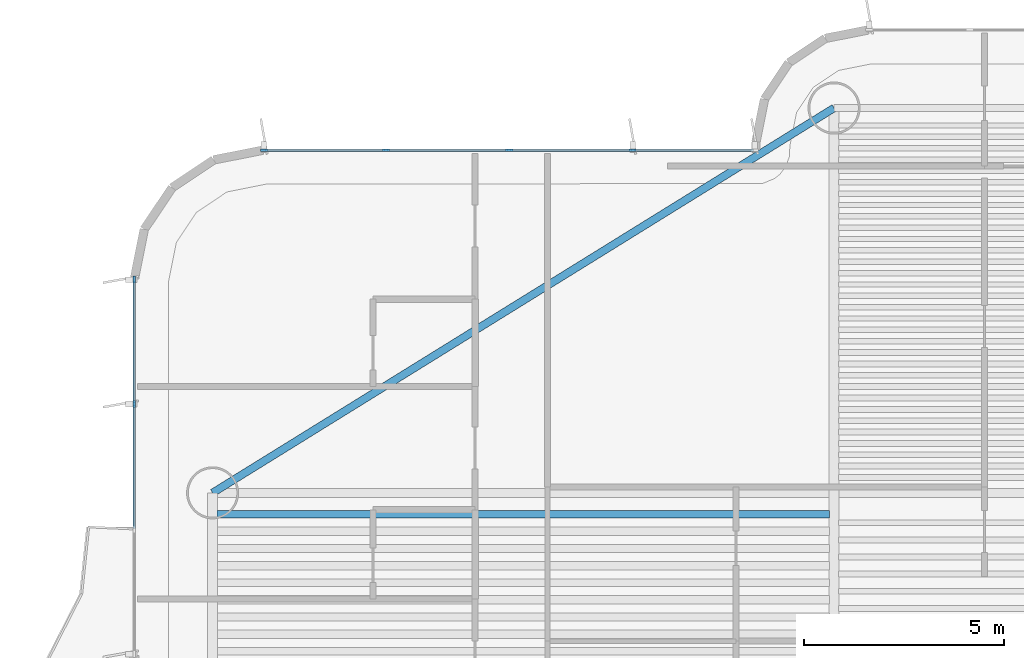
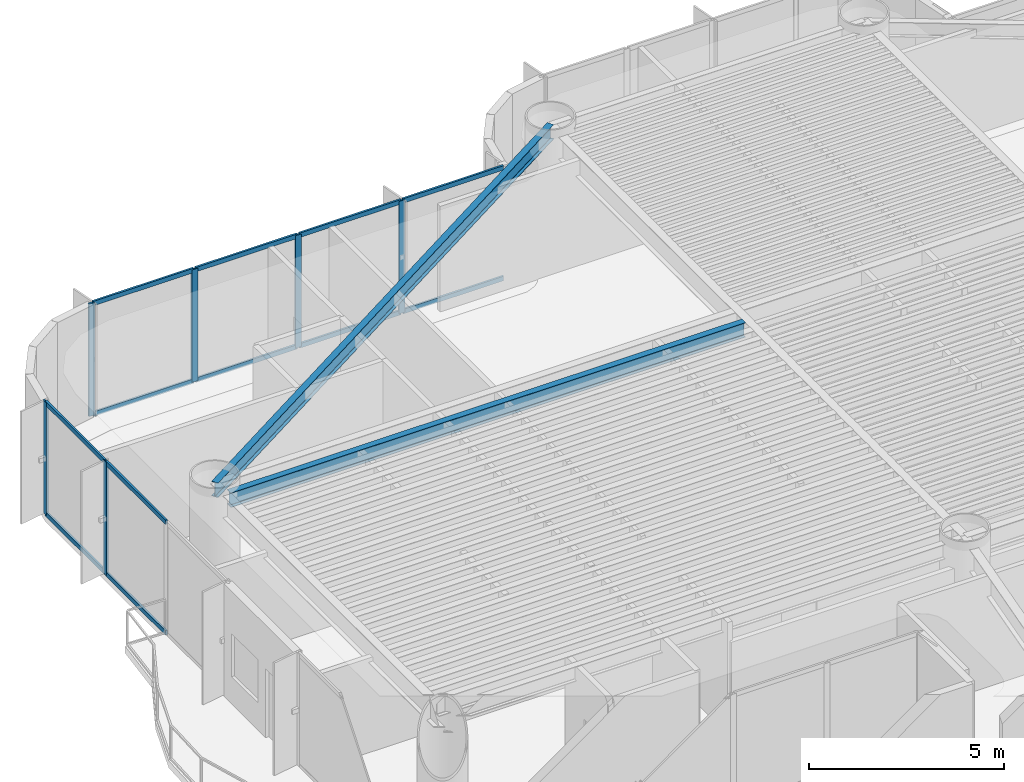
# One storey, part 5 of 17: 18 members, 2 beams, 2 elements without a shape of their own.
"""IFC4 building model written with IfcOpenShell, lengths in metres."""

from ifc_helpers import new_model, si_unit, direction, frame, origin, origin_2d, place, context, subcontext, project, spatial, rectangle, i_section, extrude, source, transform, mapped, material, layer, layer_set, material_profile, profile_set, type_object, element, aggregate, save


model = new_model("IFC4")

# Units and contexts
model_context = context("Model", 3, precision=1e-05, world=origin(), true_north=direction((0.0, 1.0)))
body_context = subcontext(model_context, "Body", "Model", "MODEL_VIEW")
ifc_project = project(units=[si_unit("LENGTHUNIT", "METRE"), si_unit("AREAUNIT", "SQUARE_METRE"), si_unit("VOLUMEUNIT", "CUBIC_METRE"), si_unit("PLANEANGLEUNIT", "RADIAN"), si_unit("MASSUNIT", "GRAM", prefix="KILO")], contexts=[model_context])

# Site, building, storey
site_placement = place(None, origin())
site = spatial("IfcSite", under=ifc_project, at=site_placement, CompositionType="ELEMENT")
building_placement = place(site_placement, origin())
building = spatial("IfcBuilding", under=site, at=building_placement, Name="Brelvock Crest Care Tower", CompositionType="ELEMENT")
storey_placement = place(building_placement, frame((0.0, 0.0, 135.179931640625)))
storey = spatial("IfcBuildingStorey", under=building, at=storey_placement, Name="L34", CompositionType="ELEMENT", Elevation=135.179931640625)

# Beams
ifc_material_1 = material(Name="Steel Grade 350", Category="steel")
ifc_material_profile_1 = material_profile(ifc_material_1, i_section(OverallWidth=0.19091796875, OverallDepth=0.4599609375, WebThickness=0.010009765625, FlangeThickness=0.01611328125, FilletRadius=0.011474609375, at=origin_2d()), Name="460UB82.1")
ifc_profile_set_1 = profile_set([ifc_material_profile_1], Name="Steel Grade 350")
beam_type_1 = type_object("IfcBeamType", Name="BM-G3", PredefinedType="BEAM", material=ifc_profile_set_1)
shared_shape_1 = source(origin(), body_context, "Body", "SweptSolid", [
    extrude(i_section(OverallWidth=0.19091796875, OverallDepth=0.4599609375, WebThickness=0.010009765625, FlangeThickness=0.01611328125, FilletRadius=0.011474609375, at=origin_2d()), origin(), (0.0, 0.0, 1.0), 15.27001953125),
])
beam_1_placement = place(storey_placement, frame((15.965087890625, 38.317626953125, 3.300048828125), z_axis=(1.0, 0.0, 0.0), x_axis=(0.0, 1.0, 0.0)))
element("IfcBeam", 1, at=beam_1_placement, inside=storey, type_object=beam_type_1, Name="BM-JW-L34-26", PredefinedType="BEAM", context=body_context, shape_type="MappedRepresentation", body=[
    mapped(shared_shape_1, transform((0.0, 0.0, 0.0), x_axis=(1.0, 0.0, 0.0), y_axis=(0.0, 1.0, 0.0), z_axis=(0.0, 0.0, 1.0), scale=1.0)),
])
ifc_material_profile_2 = material_profile(ifc_material_1, i_section(OverallWidth=0.19091796875, OverallDepth=0.4599609375, WebThickness=0.010009765625, FlangeThickness=0.01611328125, FilletRadius=0.011474609375, at=origin_2d()), Name="460UB82.1")
ifc_profile_set_2 = profile_set([ifc_material_profile_2], Name="Steel Grade 350")
beam_type_2 = type_object("IfcBeamType", Name="BM-SP2", PredefinedType="SPANDREL", material=ifc_profile_set_2)
shared_shape_2 = source(origin(), body_context, "Body", "SweptSolid", [
    extrude(i_section(OverallWidth=0.19091796875, OverallDepth=0.4599609375, WebThickness=0.010009765625, FlangeThickness=0.01611328125, FilletRadius=0.011474609375, at=origin_2d()), origin(), (0.0, 0.0, 1.0), 18.23193359375),
])
beam_2_placement = place(storey_placement, frame((15.85009765625, 38.85009765625, 3.300048828125), z_axis=(0.85015183248, 0.526537616635, 0.0), x_axis=(-0.526537616635, 0.85015183248, 0.0)))
element("IfcBeam", 2, at=beam_2_placement, inside=storey, type_object=beam_type_2, Name="BM-TWR-L34-06", PredefinedType="SPANDREL", context=body_context, shape_type="MappedRepresentation", body=[
    mapped(shared_shape_2, transform((0.0, 0.0, 0.0), x_axis=(1.0, 0.0, 0.0), y_axis=(0.0, 1.0, 0.0), z_axis=(0.0, 0.0, 1.0), scale=1.0)),
])

# Curtain wall, members
ifc_material_2 = material(Name="Dark Glass Double Glazed Low-E", Category="glass")
ifc_layer = layer(ifc_material_2, 0.2099609375, Name="CWS-3")
ifc_layer_set = layer_set([ifc_layer], Name="Dark Glass Double Glazed Low-E")
curtain_wall_type = type_object("IfcCurtainWallType", Name="CWS-3", PredefinedType="NOTDEFINED", material=ifc_layer_set)
curtain_wall_1_placement = place(storey_placement, origin())
curtain_wall_1 = element("IfcCurtainWall", 3, at=curtain_wall_1_placement, inside=storey, type_object=curtain_wall_type, Name="L34 Curtain Wall E17B", PredefinedType="NOTDEFINED")
ifc_material_3 = material(Name="Aluminium 6063-T6", Category="aluminium")
ifc_material_profile_3 = material_profile(ifc_material_3, rectangle(XDim=0.06005859375, YDim=0.179931640625, at=origin_2d()), Name="ALU60x180")
ifc_profile_set_3 = profile_set([ifc_material_profile_3], Name="Aluminium 6063-T6")
member_type_1 = type_object("IfcMemberType", Name="CWM-2", PredefinedType="MULLION", material=ifc_profile_set_3)
shared_shape_3 = source(origin(), body_context, "Body", "SweptSolid", [
    extrude(rectangle(XDim=0.06005859375, YDim=0.179931640625, at=origin_2d()), origin(), (0.0, 0.0, 1.0), 3.530029296875),
])
member_1_placement = place(storey_placement, frame((13.89990234375, 41.066650390625, 0.0), z_axis=(0.0, 0.0, 1.0), x_axis=(-1.0, 0.0, 0.0)))
member_1 = element("IfcMember", 4, at=member_1_placement, type_object=member_type_1, Name="CW-3 mullion 3", PredefinedType="MULLION", context=body_context, shape_type="MappedRepresentation", body=[
    mapped(shared_shape_3, transform((0.0, 0.0, 0.0), x_axis=(1.0, 0.0, 0.0), y_axis=(0.0, 1.0, 0.0), z_axis=(0.0, 0.0, 1.0), scale=1.0)),
])
member_2_placement = place(storey_placement, frame((13.89990234375, 44.169921875, 0.0), z_axis=(0.0, 0.0, 1.0), x_axis=(-1.0, 0.0, 0.0)))
member_2 = element("IfcMember", 5, at=member_2_placement, type_object=member_type_1, Name="CW-3 mullion 4", PredefinedType="MULLION", context=body_context, shape_type="MappedRepresentation", body=[
    mapped(shared_shape_3, transform((0.0, 0.0, 0.0), x_axis=(1.0, 0.0, 0.0), y_axis=(0.0, 1.0, 0.0), z_axis=(0.0, 0.0, 1.0), scale=1.0)),
])

curtain_wall_2_placement = place(storey_placement, origin())
curtain_wall_2 = element("IfcCurtainWall", 6, at=curtain_wall_2_placement, inside=storey, type_object=curtain_wall_type, Name="L34 Curtain Wall E22", PredefinedType="NOTDEFINED")
member_3_placement = place(storey_placement, frame((17.1298828125, 47.39990234375, 0.0), z_axis=(0.0, 0.0, 1.0), x_axis=(0.0, 1.0, 0.0)))
member_3 = element("IfcMember", 7, at=member_3_placement, type_object=member_type_1, Name="CW-3 mullion 1", PredefinedType="MULLION", context=body_context, shape_type="MappedRepresentation", body=[
    mapped(shared_shape_3, transform((0.0, 0.0, 0.0), x_axis=(1.0, 0.0, 0.0), y_axis=(0.0, 1.0, 0.0), z_axis=(0.0, 0.0, 1.0), scale=1.0)),
])
member_4_placement = place(storey_placement, frame((20.175048828125, 47.39990234375, 0.0), z_axis=(0.0, 0.0, 1.0), x_axis=(0.0, 1.0, 0.0)))
member_4 = element("IfcMember", 8, at=member_4_placement, type_object=member_type_1, Name="CW-3 mullion 2", PredefinedType="MULLION", context=body_context, shape_type="MappedRepresentation", body=[
    mapped(shared_shape_3, transform((0.0, 0.0, 0.0), x_axis=(1.0, 0.0, 0.0), y_axis=(0.0, 1.0, 0.0), z_axis=(0.0, 0.0, 1.0), scale=1.0)),
])
member_5_placement = place(storey_placement, frame((23.25, 47.39990234375, 0.0), z_axis=(0.0, 0.0, 1.0), x_axis=(0.0, 1.0, 0.0)))
member_5 = element("IfcMember", 9, at=member_5_placement, type_object=member_type_1, Name="CW-3 mullion 3", PredefinedType="MULLION", context=body_context, shape_type="MappedRepresentation", body=[
    mapped(shared_shape_3, transform((0.0, 0.0, 0.0), x_axis=(1.0, 0.0, 0.0), y_axis=(0.0, 1.0, 0.0), z_axis=(0.0, 0.0, 1.0), scale=1.0)),
])
member_6_placement = place(storey_placement, frame((26.324951171875, 47.39990234375, 0.0), z_axis=(0.0, 0.0, 1.0), x_axis=(0.0, 1.0, 0.0)))
member_6 = element("IfcMember", 10, at=member_6_placement, type_object=member_type_1, Name="CW-3 mullion 4", PredefinedType="MULLION", context=body_context, shape_type="MappedRepresentation", body=[
    mapped(shared_shape_3, transform((0.0, 0.0, 0.0), x_axis=(1.0, 0.0, 0.0), y_axis=(0.0, 1.0, 0.0), z_axis=(0.0, 0.0, 1.0), scale=1.0)),
])
ifc_material_profile_4 = material_profile(ifc_material_3, rectangle(XDim=0.06005859375, YDim=0.139892578125, at=origin_2d()), Name="ALU60x140")
ifc_profile_set_4 = profile_set([ifc_material_profile_4], Name="Aluminium 6063-T6")
member_type_2 = type_object("IfcMemberType", Name="CWT-2", PredefinedType="USERDEFINED", material=ifc_profile_set_4)
shared_shape_4 = source(origin(), body_context, "Body", "SweptSolid", [
    extrude(rectangle(XDim=0.06005859375, YDim=0.139892578125, at=origin_2d()), origin(), (0.0, 0.0, 1.0), 2.985107421875),
])
member_7_placement = place(storey_placement, frame((17.159912109375, 47.39990234375, 0.030029296875), z_axis=(1.0, 0.0, 0.0), x_axis=(0.0, 1.0, 0.0)))
member_7 = element("IfcMember", 11, at=member_7_placement, type_object=member_type_2, Name="CW-3 transom 1.1", ObjectType="TRANSOM", PredefinedType="USERDEFINED", context=body_context, shape_type="MappedRepresentation", body=[
    mapped(shared_shape_4, transform((0.0, 0.0, 0.0), x_axis=(1.0, 0.0, 0.0), y_axis=(0.0, 1.0, 0.0), z_axis=(0.0, 0.0, 1.0), scale=1.0)),
])
member_8_placement = place(storey_placement, frame((17.159912109375, 47.39990234375, 3.5), z_axis=(1.0, 0.0, 0.0), x_axis=(0.0, 1.0, 0.0)))
member_8 = element("IfcMember", 12, at=member_8_placement, type_object=member_type_2, Name="CW-3 transom 1.2", ObjectType="TRANSOM", PredefinedType="USERDEFINED", context=body_context, shape_type="MappedRepresentation", body=[
    mapped(shared_shape_4, transform((0.0, 0.0, 0.0), x_axis=(1.0, 0.0, 0.0), y_axis=(0.0, 1.0, 0.0), z_axis=(0.0, 0.0, 1.0), scale=1.0)),
])
member_9_placement = place(storey_placement, frame((26.35498046875, 47.39990234375, 0.030029296875), z_axis=(1.0, 0.0, 0.0), x_axis=(0.0, 1.0, 0.0)))
member_9 = element("IfcMember", 13, at=member_9_placement, type_object=member_type_2, Name="CW-3 transom 4.1", ObjectType="TRANSOM", PredefinedType="USERDEFINED", context=body_context, shape_type="MappedRepresentation", body=[
    mapped(shared_shape_4, transform((0.0, 0.0, 0.0), x_axis=(1.0, 0.0, 0.0), y_axis=(0.0, 1.0, 0.0), z_axis=(0.0, 0.0, 1.0), scale=1.0)),
])
member_10_placement = place(storey_placement, frame((26.35498046875, 47.39990234375, 3.5), z_axis=(1.0, 0.0, 0.0), x_axis=(0.0, 1.0, 0.0)))
member_10 = element("IfcMember", 14, at=member_10_placement, type_object=member_type_2, Name="CW-3 transom 4.2", ObjectType="TRANSOM", PredefinedType="USERDEFINED", context=body_context, shape_type="MappedRepresentation", body=[
    mapped(shared_shape_4, transform((0.0, 0.0, 0.0), x_axis=(1.0, 0.0, 0.0), y_axis=(0.0, 1.0, 0.0), z_axis=(0.0, 0.0, 1.0), scale=1.0)),
])
shared_shape_5 = source(origin(), body_context, "Body", "SweptSolid", [
    extrude(rectangle(XDim=0.06005859375, YDim=0.139892578125, at=origin_2d()), origin(), (0.0, 0.0, 1.0), 3.014892578125),
])
member_11_placement = place(storey_placement, frame((20.205078125, 47.39990234375, 0.030029296875), z_axis=(1.0, 0.0, 0.0), x_axis=(0.0, 1.0, 0.0)))
member_11 = element("IfcMember", 15, at=member_11_placement, type_object=member_type_2, Name="CW-3 transom 2.1", ObjectType="TRANSOM", PredefinedType="USERDEFINED", context=body_context, shape_type="MappedRepresentation", body=[
    mapped(shared_shape_5, transform((0.0, 0.0, 0.0), x_axis=(1.0, 0.0, 0.0), y_axis=(0.0, 1.0, 0.0), z_axis=(0.0, 0.0, 1.0), scale=1.0)),
])
member_12_placement = place(storey_placement, frame((20.205078125, 47.39990234375, 3.5), z_axis=(1.0, 0.0, 0.0), x_axis=(0.0, 1.0, 0.0)))
member_12 = element("IfcMember", 16, at=member_12_placement, type_object=member_type_2, Name="CW-3 transom 2.2", ObjectType="TRANSOM", PredefinedType="USERDEFINED", context=body_context, shape_type="MappedRepresentation", body=[
    mapped(shared_shape_5, transform((0.0, 0.0, 0.0), x_axis=(1.0, 0.0, 0.0), y_axis=(0.0, 1.0, 0.0), z_axis=(0.0, 0.0, 1.0), scale=1.0)),
])
member_13_placement = place(storey_placement, frame((23.280029296875, 47.39990234375, 0.030029296875), z_axis=(1.0, 0.0, 0.0), x_axis=(0.0, 1.0, 0.0)))
member_13 = element("IfcMember", 17, at=member_13_placement, type_object=member_type_2, Name="CW-3 transom 3.1", ObjectType="TRANSOM", PredefinedType="USERDEFINED", context=body_context, shape_type="MappedRepresentation", body=[
    mapped(shared_shape_5, transform((0.0, 0.0, 0.0), x_axis=(1.0, 0.0, 0.0), y_axis=(0.0, 1.0, 0.0), z_axis=(0.0, 0.0, 1.0), scale=1.0)),
])
member_14_placement = place(storey_placement, frame((23.280029296875, 47.39990234375, 3.5), z_axis=(1.0, 0.0, 0.0), x_axis=(0.0, 1.0, 0.0)))
member_14 = element("IfcMember", 18, at=member_14_placement, type_object=member_type_2, Name="CW-3 transom 3.2", ObjectType="TRANSOM", PredefinedType="USERDEFINED", context=body_context, shape_type="MappedRepresentation", body=[
    mapped(shared_shape_5, transform((0.0, 0.0, 0.0), x_axis=(1.0, 0.0, 0.0), y_axis=(0.0, 1.0, 0.0), z_axis=(0.0, 0.0, 1.0), scale=1.0)),
])
aggregate(curtain_wall_2, [member_3, member_4, member_5, member_6, member_7, member_8, member_11, member_12, member_13, member_14, member_9, member_10])

# Member
shared_shape_6 = source(origin(), body_context, "Body", "SweptSolid", [
    extrude(rectangle(XDim=0.06005859375, YDim=0.139892578125, at=origin_2d()), origin(), (0.0, 0.0, 1.0), 3.043212890625),
])
member_15_placement = place(storey_placement, frame((13.89990234375, 41.0966796875, 0.030029296875), z_axis=(0.0, 1.0, 0.0), x_axis=(-1.0, 0.0, 0.0)))
member_15 = element("IfcMember", 19, at=member_15_placement, type_object=member_type_2, Name="CW-3 transom 3.1", ObjectType="TRANSOM", PredefinedType="USERDEFINED", context=body_context, shape_type="MappedRepresentation", body=[
    mapped(shared_shape_6, transform((0.0, 0.0, 0.0), x_axis=(1.0, 0.0, 0.0), y_axis=(0.0, 1.0, 0.0), z_axis=(0.0, 0.0, 1.0), scale=1.0)),
])

member_16_placement = place(storey_placement, frame((13.89990234375, 41.0966796875, 3.5), z_axis=(0.0, 1.0, 0.0), x_axis=(-1.0, 0.0, 0.0)))
member_16 = element("IfcMember", 20, at=member_16_placement, type_object=member_type_2, Name="CW-3 transom 3.2", ObjectType="TRANSOM", PredefinedType="USERDEFINED", context=body_context, shape_type="MappedRepresentation", body=[
    mapped(shared_shape_6, transform((0.0, 0.0, 0.0), x_axis=(1.0, 0.0, 0.0), y_axis=(0.0, 1.0, 0.0), z_axis=(0.0, 0.0, 1.0), scale=1.0)),
])

shared_shape_7 = source(origin(), body_context, "Body", "SweptSolid", [
    extrude(rectangle(XDim=0.06005859375, YDim=0.139892578125, at=origin_2d()), origin(), (0.0, 0.0, 1.0), 3.0732421875),
])
member_17_placement = place(storey_placement, frame((13.89990234375, 37.96337890625, 0.030029296875), z_axis=(0.0, 1.0, 0.0), x_axis=(-1.0, 0.0, 0.0)))
member_17 = element("IfcMember", 21, at=member_17_placement, type_object=member_type_2, Name="CW-3 transom 2.1", ObjectType="TRANSOM", PredefinedType="USERDEFINED", context=body_context, shape_type="MappedRepresentation", body=[
    mapped(shared_shape_7, transform((0.0, 0.0, 0.0), x_axis=(1.0, 0.0, 0.0), y_axis=(0.0, 1.0, 0.0), z_axis=(0.0, 0.0, 1.0), scale=1.0)),
])

member_18_placement = place(storey_placement, frame((13.89990234375, 37.96337890625, 3.5), z_axis=(0.0, 1.0, 0.0), x_axis=(-1.0, 0.0, 0.0)))
member_18 = element("IfcMember", 22, at=member_18_placement, type_object=member_type_2, Name="CW-3 transom 2.2", ObjectType="TRANSOM", PredefinedType="USERDEFINED", context=body_context, shape_type="MappedRepresentation", body=[
    mapped(shared_shape_7, transform((0.0, 0.0, 0.0), x_axis=(1.0, 0.0, 0.0), y_axis=(0.0, 1.0, 0.0), z_axis=(0.0, 0.0, 1.0), scale=1.0)),
])

aggregate(curtain_wall_1, [member_1, member_2, member_17, member_18, member_15, member_16])

save(model, "model.ifc")
